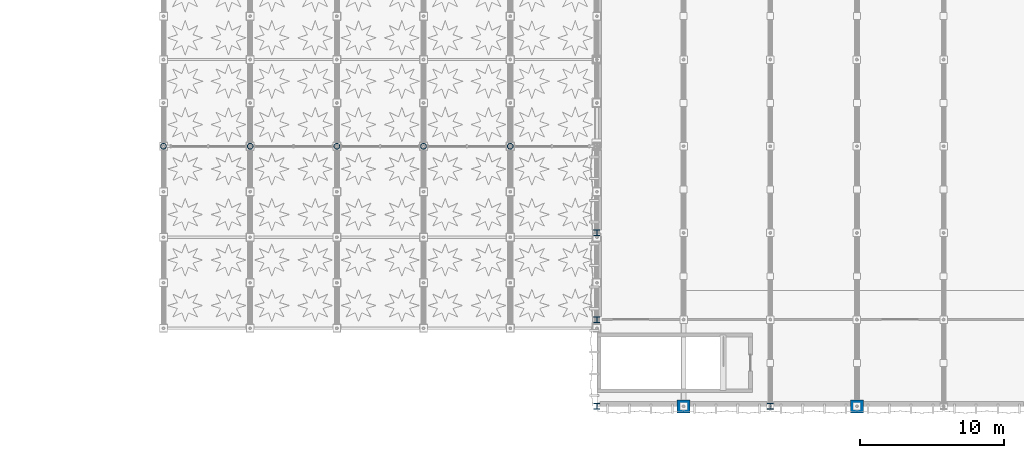
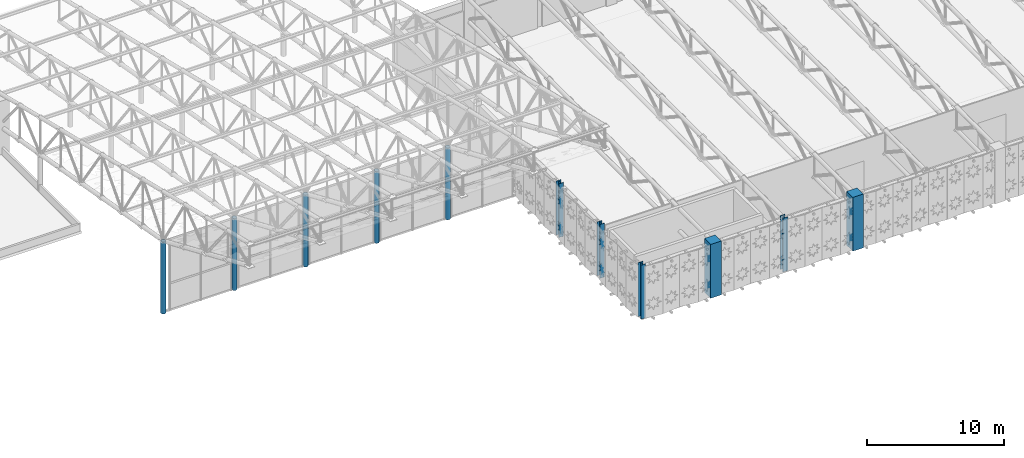
# One storey, part 2 of 123: 11 columns.
"""IFC4 building model written with IfcOpenShell, lengths in metres."""

from ifc_helpers import new_model, si_unit, direction, frame, origin, origin_2d, place, context, subcontext, project, spatial, rectangle, hollow_circle, i_section, extrude, material, material_profile, profile_set, type_object, element, save


model = new_model("IFC4")

# Units and contexts
model_context = context("Model", 3, precision=1e-05, world=origin(), true_north=direction((0.0, 1.0)))
body_context = subcontext(model_context, "Body", "Model", "MODEL_VIEW")
ifc_project = project(units=[si_unit("LENGTHUNIT", "METRE"), si_unit("AREAUNIT", "SQUARE_METRE"), si_unit("VOLUMEUNIT", "CUBIC_METRE"), si_unit("PLANEANGLEUNIT", "RADIAN"), si_unit("MASSUNIT", "GRAM", prefix="KILO"), si_unit("THERMODYNAMICTEMPERATUREUNIT", "KELVIN"), si_unit("POWERUNIT", "WATT")], contexts=[model_context])

# Site, building, storey
site_placement = place(None, origin())
site = spatial("IfcSite", under=ifc_project, at=site_placement, CompositionType="ELEMENT")
building_placement = place(site_placement, origin())
building = spatial("IfcBuilding", under=site, at=building_placement, Name="Phaisarnlok Congress Hotel", CompositionType="ELEMENT")
storey_placement = place(building_placement, frame((0.0, 0.0, 15.0)))
storey = spatial("IfcBuildingStorey", under=building, at=storey_placement, Name="L03", CompositionType="ELEMENT", Elevation=15.0)

# Columns
ifc_material_1 = material(Name="Concrete C50/60", Category="concrete")
ifc_material_profile_1 = material_profile(ifc_material_1, rectangle(XDim=0.89990234375, YDim=0.89990234375, at=origin_2d()), Name="RC 900x900")
ifc_profile_set_1 = profile_set([ifc_material_profile_1], Name="Concrete C50/60")
column_type_1 = type_object("IfcColumnType", Name="COL-RC-900-EXT", PredefinedType="COLUMN", material=ifc_profile_set_1)
for number, where, z_axis, x_axis, name in (
    (1, (102.0, 0.0, 0.0), (0.0, 0.0, 1.0), (1.0, 0.0, 0.0), "Column C-08E (L03)"),
    (2, (114.0, 0.0, 0.0), (0.0, 0.0, 1.0), (1.0, 0.0, 0.0), "Column C-08E (L03)"),
):
    element("IfcColumn", number, at=place(storey_placement, frame(where, z_axis=z_axis, x_axis=x_axis)), inside=storey, type_object=column_type_1, Name=name, PredefinedType="COLUMN", context=body_context, shape_type="SweptSolid", body=[
        extrude(rectangle(XDim=0.89990234375, YDim=0.89990234375, at=origin_2d()), origin(), (0.0, 0.0, 1.0), 4.800048828125),
    ])
ifc_material_2 = material(Name="Steel S355", Category="steel")
ifc_material_profile_2 = material_profile(ifc_material_2, hollow_circle(Radius=0.203125, WallThickness=0.02001953125, at=origin_2d()), Name="CHS 406.4x20")
ifc_profile_set_2 = profile_set([ifc_material_profile_2], Name="Steel S355")
column_type_2 = type_object("IfcColumnType", Name="COL-STL-CHS406-EXT", PredefinedType="COLUMN", material=ifc_profile_set_2)
for number, where, z_axis, x_axis, name in (
    (3, (66.0, 18.0, 0.0), (0.0, 0.0, 1.0), (1.0, 0.0, 0.0), "Foyer wing-roof slim steel column SC-02E (L03)"),
    (4, (72.0, 18.0, 0.0), (0.0, 0.0, 1.0), (1.0, 0.0, 0.0), "Foyer wing-roof slim steel column SC-02E (L03)"),
    (5, (78.0, 18.0, 0.0), (0.0, 0.0, 1.0), (1.0, 0.0, 0.0), "Foyer wing-roof slim steel column SC-02E (L03)"),
    (6, (84.0, 18.0, 0.0), (0.0, 0.0, 1.0), (1.0, 0.0, 0.0), "Foyer wing-roof slim steel column SC-02E (L03)"),
    (7, (90.0, 18.0, 0.0), (0.0, 0.0, 1.0), (1.0, 0.0, 0.0), "Foyer wing-roof slim steel column SC-02E (L03)"),
):
    element("IfcColumn", number, at=place(storey_placement, frame(where, z_axis=z_axis, x_axis=x_axis)), inside=storey, type_object=column_type_2, Name=name, PredefinedType="COLUMN", context=body_context, shape_type="SweptSolid", body=[
        extrude(hollow_circle(Radius=0.203125, WallThickness=0.02001953125, at=origin_2d()), origin(), (0.0, 0.0, 1.0), 6.39990234375),
    ])
ifc_material_profile_3 = material_profile(ifc_material_2, i_section(OverallWidth=0.406005859375, OverallDepth=0.416015625, WebThickness=0.021484375, FlangeThickness=0.034912109375, FilletRadius=0.014892578125, at=origin_2d()), Name="HD 400x382")
ifc_profile_set_3 = profile_set([ifc_material_profile_3], Name="Steel S355")
column_type_3 = type_object("IfcColumnType", Name="COL-STL-HD382", PredefinedType="COLUMN", material=ifc_profile_set_3)
for number, where, z_axis, x_axis, name in (
    (8, (96.0, 6.0, 0.0), (0.0, 0.0, 1.0), (1.0, 0.0, 0.0), "Column SC-05 (L03)"),
    (9, (96.0, 12.0, 0.0), (0.0, 0.0, 1.0), (1.0, 0.0, 0.0), "Column SC-05 (L03)"),
):
    element("IfcColumn", number, at=place(storey_placement, frame(where, z_axis=z_axis, x_axis=x_axis)), inside=storey, type_object=column_type_3, Name=name, PredefinedType="COLUMN", context=body_context, shape_type="SweptSolid", body=[
        extrude(i_section(OverallWidth=0.406005859375, OverallDepth=0.416015625, WebThickness=0.021484375, FlangeThickness=0.034912109375, FilletRadius=0.014892578125, at=origin_2d()), origin(), (0.0, 0.0, 1.0), 4.800048828125),
    ])
ifc_material_profile_4 = material_profile(ifc_material_2, i_section(OverallWidth=0.406005859375, OverallDepth=0.416015625, WebThickness=0.021484375, FlangeThickness=0.034912109375, FilletRadius=0.014892578125, at=origin_2d()), Name="HD 400x382")
ifc_profile_set_4 = profile_set([ifc_material_profile_4], Name="Steel S355")
column_type_4 = type_object("IfcColumnType", Name="COL-STL-HD382-EXT", PredefinedType="COLUMN", material=ifc_profile_set_4)
for number, where, z_axis, x_axis, name in (
    (10, (96.0, 0.0, 0.0), (0.0, 0.0, 1.0), (1.0, 0.0, 0.0), "Column SC-05E (L03)"),
    (11, (108.0, 0.0, 0.0), (0.0, 0.0, 1.0), (1.0, 0.0, 0.0), "Column SC-05E (L03)"),
):
    element("IfcColumn", number, at=place(storey_placement, frame(where, z_axis=z_axis, x_axis=x_axis)), inside=storey, type_object=column_type_4, Name=name, PredefinedType="COLUMN", context=body_context, shape_type="SweptSolid", body=[
        extrude(i_section(OverallWidth=0.406005859375, OverallDepth=0.416015625, WebThickness=0.021484375, FlangeThickness=0.034912109375, FilletRadius=0.014892578125, at=origin_2d()), origin(), (0.0, 0.0, 1.0), 4.800048828125),
    ])

save(model, "model.ifc")
